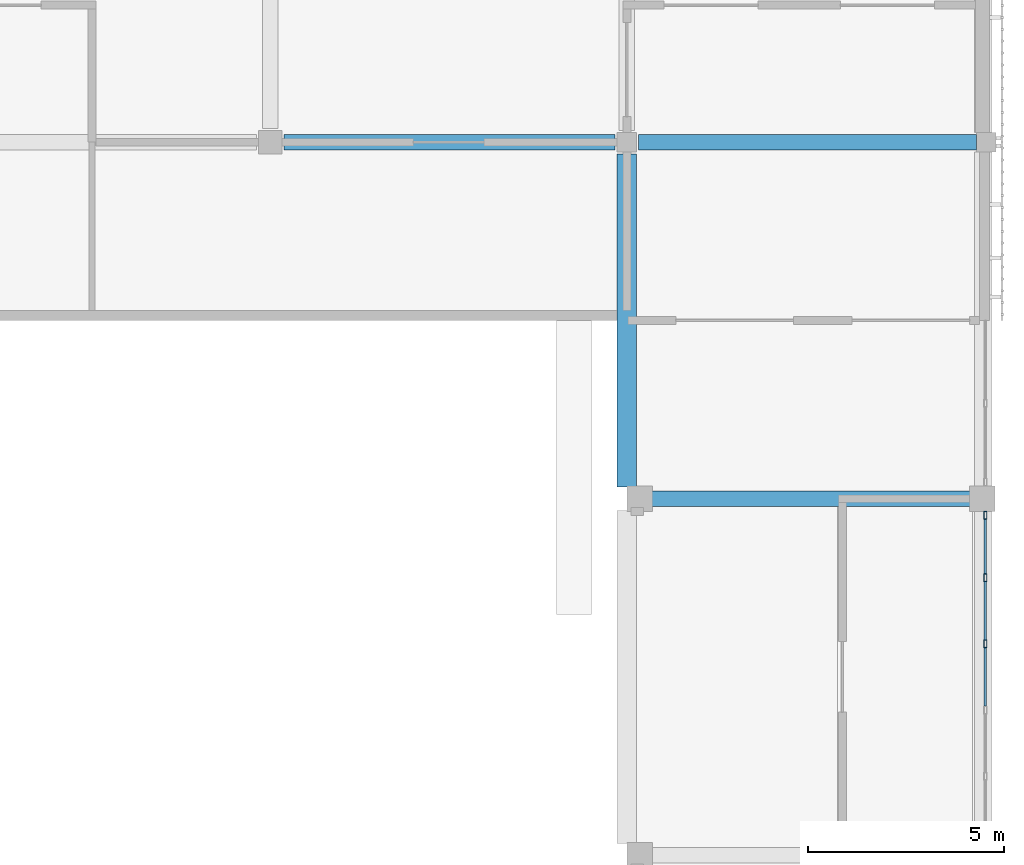
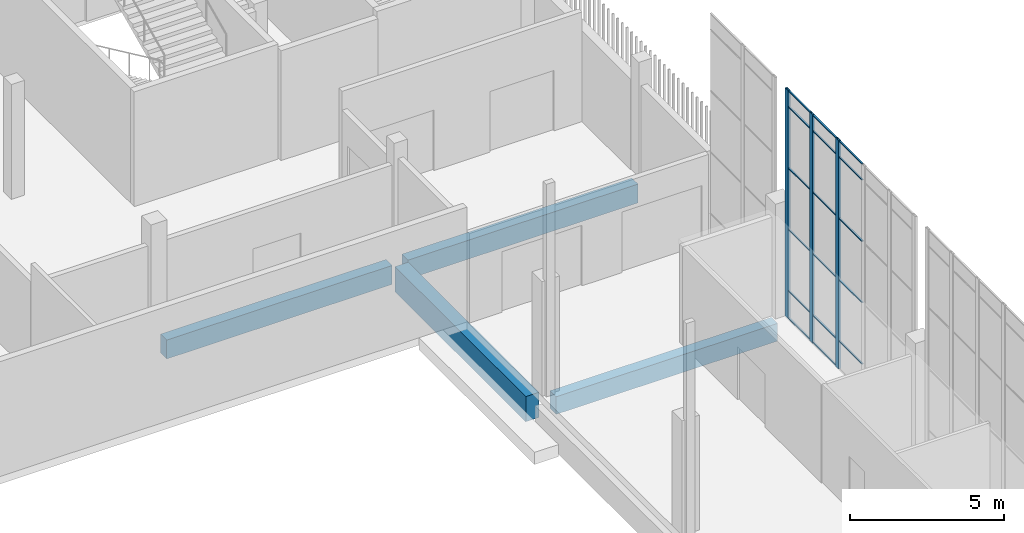
# One storey, part 27 of 91: 20 members, 4 beams, 1 element without a shape of its own.
"""IFC4 building model written with IfcOpenShell, lengths in metres."""

from ifc_helpers import new_model, si_unit, direction, frame, origin, origin_2d, place, context, subcontext, project, spatial, rectangle, hollow_rectangle, extrude, material, layer, layer_set, material_profile, profile_set, type_object, element, aggregate, save


model = new_model("IFC4")

# Units and contexts
model_context = context("Model", 3, precision=1e-05, world=origin(), true_north=direction((0.0, 1.0)))
body_context = subcontext(model_context, "Body", "Model", "MODEL_VIEW")
ifc_project = project(units=[si_unit("LENGTHUNIT", "METRE"), si_unit("AREAUNIT", "SQUARE_METRE"), si_unit("VOLUMEUNIT", "CUBIC_METRE"), si_unit("PLANEANGLEUNIT", "RADIAN"), si_unit("MASSUNIT", "GRAM", prefix="KILO")], contexts=[model_context])

# Site, building, storey
site_placement = place(None, origin())
site = spatial("IfcSite", under=ifc_project, at=site_placement, CompositionType="ELEMENT")
building_placement = place(site_placement, origin())
building = spatial("IfcBuilding", under=site, at=building_placement, Name="Shirokan Park Arena", CompositionType="ELEMENT")
storey_placement = place(building_placement, frame((0.0, 0.0, 24.570068359375)))
storey = spatial("IfcBuildingStorey", under=building, at=storey_placement, Name="L05", CompositionType="ELEMENT", Elevation=24.570068359375)

# Curtain wall, members
ifc_material_1 = material(Name="Steel and glass curtain wall", Category="steel")
ifc_layer = layer(ifc_material_1, 0.199951171875)
ifc_layer_set = layer_set([ifc_layer], Name="Steel and glass curtain wall 200 mm")
curtain_wall_type = type_object("IfcCurtainWallType", Name="Curtain wall hall bay 200", PredefinedType="NOTDEFINED", material=ifc_layer_set)
curtain_wall_placement = place(storey_placement, origin())
curtain_wall = element("IfcCurtainWall", 1, at=curtain_wall_placement, inside=storey, type_object=curtain_wall_type, Name="Curtain wall east bay 7 L05", PredefinedType="NOTDEFINED")
ifc_material_2 = material(Name="Steel S355", Category="steel")
ifc_material_profile_1 = material_profile(ifc_material_2, hollow_rectangle(XDim=0.080078125, YDim=0.199951171875, WallThickness=0.008056640625, at=origin_2d()), Name="RHS 200x80x8")
ifc_profile_set_1 = profile_set([ifc_material_profile_1], Name="Steel S355")
member_type_1 = type_object("IfcMemberType", Name="Mullion RHS 200x80x8", PredefinedType="MULLION", material=ifc_profile_set_1)
member_1_placement = place(storey_placement, frame((145.64990234375, 59.9951171875, 0.0), z_axis=(0.0, 0.0, 1.0), x_axis=(-1.0, 0.0, 0.0)))
member_1 = element("IfcMember", 2, at=member_1_placement, type_object=member_type_1, Name="CW5 mullion 4", PredefinedType="MULLION", context=body_context, shape_type="SweptSolid", body=[
    extrude(hollow_rectangle(XDim=0.080078125, YDim=0.199951171875, WallThickness=0.008056640625, at=origin_2d()), origin(), (0.0, 0.0, 1.0), 9.050048828125),
])
member_2_placement = place(storey_placement, frame((145.64990234375, 61.68505859375, 0.0), z_axis=(0.0, 0.0, 1.0), x_axis=(-1.0, 0.0, 0.0)))
member_2 = element("IfcMember", 3, at=member_2_placement, type_object=member_type_1, Name="CW5 mullion 5", PredefinedType="MULLION", context=body_context, shape_type="SweptSolid", body=[
    extrude(hollow_rectangle(XDim=0.080078125, YDim=0.199951171875, WallThickness=0.008056640625, at=origin_2d()), origin(), (0.0, 0.0, 1.0), 9.050048828125),
])
member_3_placement = place(storey_placement, frame((145.64990234375, 63.27490234375, 0.0), z_axis=(0.0, 0.0, 1.0), x_axis=(-1.0, 0.0, 0.0)))
member_3 = element("IfcMember", 4, at=member_3_placement, type_object=member_type_1, Name="CW5 mullion 6", PredefinedType="MULLION", context=body_context, shape_type="SweptSolid", body=[
    extrude(hollow_rectangle(XDim=0.080078125, YDim=0.199951171875, WallThickness=0.008056640625, at=origin_2d()), origin(), (0.0, 0.0, 1.0), 9.050048828125),
])

# Beams
ifc_material_3 = material(Name="Concrete C35", Category="concrete")
ifc_material_profile_2 = material_profile(ifc_material_3, rectangle(XDim=0.39990234375, YDim=0.699951171875, at=origin_2d()), Name="400x700")
ifc_profile_set_2 = profile_set([ifc_material_profile_2], Name="Concrete C35")
beam_type_1 = type_object("IfcBeamType", Name="RC girder 400x700", PredefinedType="BEAM", material=ifc_profile_set_2)
beam_1_placement = place(storey_placement, frame((137.10009765625, 63.699951171875, -0.650146484375), z_axis=(1.0, 0.0, 0.0), x_axis=(0.0, 1.0, 0.0)))
element("IfcBeam", 5, at=beam_1_placement, inside=storey, type_object=beam_type_1, Name="Girder 16H-17H L05", PredefinedType="BEAM", context=body_context, shape_type="SweptSolid", body=[
    extrude(rectangle(XDim=0.39990234375, YDim=0.699951171875, at=origin_2d()), origin(), (0.0, 0.0, 1.0), 8.2998046875),
])
ifc_material_profile_3 = material_profile(ifc_material_3, rectangle(XDim=0.39990234375, YDim=0.75, at=origin_2d()), Name="400x750")
ifc_profile_set_3 = profile_set([ifc_material_profile_3], Name="Concrete C35")
beam_type_2 = type_object("IfcBeamType", Name="RC girder 400x750", PredefinedType="BEAM", material=ifc_profile_set_3)
beam_2_placement = place(storey_placement, frame((127.75, 72.800048828125, -0.675048828125), z_axis=(1.0, 0.0, 0.0), x_axis=(0.0, 1.0, 0.0)))
element("IfcBeam", 6, at=beam_2_placement, inside=storey, type_object=beam_type_2, Name="Girder 15J-16J L05", PredefinedType="BEAM", context=body_context, shape_type="SweptSolid", body=[
    extrude(rectangle(XDim=0.39990234375, YDim=0.75, at=origin_2d()), origin(), (0.0, 0.0, 1.0), 8.449951171875),
])
beam_3_placement = place(storey_placement, frame((136.800048828125, 72.800048828125, -0.675048828125), z_axis=(1.0, 0.0, 0.0), x_axis=(0.0, 1.0, 0.0)))
element("IfcBeam", 7, at=beam_3_placement, inside=storey, type_object=beam_type_2, Name="Girder 16J-17J L05", PredefinedType="BEAM", context=body_context, shape_type="SweptSolid", body=[
    extrude(rectangle(XDim=0.39990234375, YDim=0.75, at=origin_2d()), origin(), (0.0, 0.0, 1.0), 8.624755859375),
])
ifc_material_profile_4 = material_profile(ifc_material_3, rectangle(XDim=0.5, YDim=1.0, at=origin_2d()), Name="500x1000")
ifc_profile_set_4 = profile_set([ifc_material_profile_4], Name="Concrete C35")
beam_type_3 = type_object("IfcBeamType", Name="RC girder 500x1000", PredefinedType="BEAM", material=ifc_profile_set_4)
beam_4_placement = place(storey_placement, frame((136.5, 64.0, -0.800048828125), z_axis=(0.0, 1.0, 0.0), x_axis=(-1.0, 0.0, 0.0)))
element("IfcBeam", 8, at=beam_4_placement, inside=storey, type_object=beam_type_3, Name="Girder 16H-16J L05", PredefinedType="BEAM", context=body_context, shape_type="SweptSolid", body=[
    extrude(rectangle(XDim=0.5, YDim=1.0, at=origin_2d()), origin(), (0.0, 0.0, 1.0), 8.5),
])

# Member
ifc_material_profile_5 = material_profile(ifc_material_2, hollow_rectangle(XDim=0.06005859375, YDim=0.0400390625, WallThickness=0.00390625, at=origin_2d()), Name="RHS 60x40x4")
ifc_profile_set_5 = profile_set([ifc_material_profile_5], Name="Steel S355")
member_type_2 = type_object("IfcMemberType", Name="Transom RHS 60x40x4", PredefinedType="MULLION", material=ifc_profile_set_5)
member_4_placement = place(storey_placement, frame((145.64990234375, 58.405029296875, 1.099853515625), z_axis=(0.0, 1.0, 0.0), x_axis=(-1.0, 0.0, 0.0)))
member_4 = element("IfcMember", 9, at=member_4_placement, type_object=member_type_2, Name="CW5 transom 3.2", PredefinedType="MULLION", context=body_context, shape_type="SweptSolid", body=[
    extrude(hollow_rectangle(XDim=0.06005859375, YDim=0.0400390625, WallThickness=0.00390625, at=origin_2d()), origin(), (0.0, 0.0, 1.0), 1.489990234375),
])

member_5_placement = place(storey_placement, frame((145.64990234375, 58.405029296875, 3.533203125), z_axis=(0.0, 1.0, 0.0), x_axis=(-1.0, 0.0, 0.0)))
member_5 = element("IfcMember", 10, at=member_5_placement, type_object=member_type_2, Name="CW5 transom 3.3", PredefinedType="MULLION", context=body_context, shape_type="SweptSolid", body=[
    extrude(hollow_rectangle(XDim=0.06005859375, YDim=0.0400390625, WallThickness=0.00390625, at=origin_2d()), origin(), (0.0, 0.0, 1.0), 1.489990234375),
])

member_6_placement = place(storey_placement, frame((145.64990234375, 58.405029296875, 5.966552734375), z_axis=(0.0, 1.0, 0.0), x_axis=(-1.0, 0.0, 0.0)))
member_6 = element("IfcMember", 11, at=member_6_placement, type_object=member_type_2, Name="CW5 transom 3.4", PredefinedType="MULLION", context=body_context, shape_type="SweptSolid", body=[
    extrude(hollow_rectangle(XDim=0.06005859375, YDim=0.0400390625, WallThickness=0.00390625, at=origin_2d()), origin(), (0.0, 0.0, 1.0), 1.489990234375),
])

member_7_placement = place(storey_placement, frame((145.64990234375, 58.405029296875, 8.39990234375), z_axis=(0.0, 1.0, 0.0), x_axis=(-1.0, 0.0, 0.0)))
member_7 = element("IfcMember", 12, at=member_7_placement, type_object=member_type_2, Name="CW5 transom 3.5", PredefinedType="MULLION", context=body_context, shape_type="SweptSolid", body=[
    extrude(hollow_rectangle(XDim=0.06005859375, YDim=0.0400390625, WallThickness=0.00390625, at=origin_2d()), origin(), (0.0, 0.0, 1.0), 1.489990234375),
])

member_8_placement = place(storey_placement, frame((145.64990234375, 58.405029296875, 9.030029296875), z_axis=(0.0, 1.0, 0.0), x_axis=(-1.0, 0.0, 0.0)))
member_8 = element("IfcMember", 13, at=member_8_placement, type_object=member_type_2, Name="CW5 transom 3.6", PredefinedType="MULLION", context=body_context, shape_type="SweptSolid", body=[
    extrude(hollow_rectangle(XDim=0.06005859375, YDim=0.0400390625, WallThickness=0.00390625, at=origin_2d()), origin(), (0.0, 0.0, 1.0), 1.489990234375),
])

member_9_placement = place(storey_placement, frame((145.64990234375, 60.094970703125, 0.02001953125), z_axis=(0.0, 1.0, 0.0), x_axis=(-1.0, 0.0, 0.0)))
member_9 = element("IfcMember", 14, at=member_9_placement, type_object=member_type_2, Name="CW5 transom 4.1", PredefinedType="MULLION", context=body_context, shape_type="SweptSolid", body=[
    extrude(hollow_rectangle(XDim=0.06005859375, YDim=0.0400390625, WallThickness=0.00390625, at=origin_2d()), origin(), (0.0, 0.0, 1.0), 1.489990234375),
])

member_10_placement = place(storey_placement, frame((145.64990234375, 60.094970703125, 1.099853515625), z_axis=(0.0, 1.0, 0.0), x_axis=(-1.0, 0.0, 0.0)))
member_10 = element("IfcMember", 15, at=member_10_placement, type_object=member_type_2, Name="CW5 transom 4.2", PredefinedType="MULLION", context=body_context, shape_type="SweptSolid", body=[
    extrude(hollow_rectangle(XDim=0.06005859375, YDim=0.0400390625, WallThickness=0.00390625, at=origin_2d()), origin(), (0.0, 0.0, 1.0), 1.489990234375),
])

member_11_placement = place(storey_placement, frame((145.64990234375, 60.094970703125, 3.533203125), z_axis=(0.0, 1.0, 0.0), x_axis=(-1.0, 0.0, 0.0)))
member_11 = element("IfcMember", 16, at=member_11_placement, type_object=member_type_2, Name="CW5 transom 4.3", PredefinedType="MULLION", context=body_context, shape_type="SweptSolid", body=[
    extrude(hollow_rectangle(XDim=0.06005859375, YDim=0.0400390625, WallThickness=0.00390625, at=origin_2d()), origin(), (0.0, 0.0, 1.0), 1.489990234375),
])

member_12_placement = place(storey_placement, frame((145.64990234375, 60.094970703125, 5.966552734375), z_axis=(0.0, 1.0, 0.0), x_axis=(-1.0, 0.0, 0.0)))
member_12 = element("IfcMember", 17, at=member_12_placement, type_object=member_type_2, Name="CW5 transom 4.4", PredefinedType="MULLION", context=body_context, shape_type="SweptSolid", body=[
    extrude(hollow_rectangle(XDim=0.06005859375, YDim=0.0400390625, WallThickness=0.00390625, at=origin_2d()), origin(), (0.0, 0.0, 1.0), 1.489990234375),
])

member_13_placement = place(storey_placement, frame((145.64990234375, 60.094970703125, 8.39990234375), z_axis=(0.0, 1.0, 0.0), x_axis=(-1.0, 0.0, 0.0)))
member_13 = element("IfcMember", 18, at=member_13_placement, type_object=member_type_2, Name="CW5 transom 4.5", PredefinedType="MULLION", context=body_context, shape_type="SweptSolid", body=[
    extrude(hollow_rectangle(XDim=0.06005859375, YDim=0.0400390625, WallThickness=0.00390625, at=origin_2d()), origin(), (0.0, 0.0, 1.0), 1.489990234375),
])

member_14_placement = place(storey_placement, frame((145.64990234375, 60.094970703125, 9.030029296875), z_axis=(0.0, 1.0, 0.0), x_axis=(-1.0, 0.0, 0.0)))
member_14 = element("IfcMember", 19, at=member_14_placement, type_object=member_type_2, Name="CW5 transom 4.6", PredefinedType="MULLION", context=body_context, shape_type="SweptSolid", body=[
    extrude(hollow_rectangle(XDim=0.06005859375, YDim=0.0400390625, WallThickness=0.00390625, at=origin_2d()), origin(), (0.0, 0.0, 1.0), 1.489990234375),
])

member_15_placement = place(storey_placement, frame((145.64990234375, 61.784912109375, 0.02001953125), z_axis=(0.0, 1.0, 0.0), x_axis=(-1.0, 0.0, 0.0)))
member_15 = element("IfcMember", 20, at=member_15_placement, type_object=member_type_2, Name="CW5 transom 5.1", PredefinedType="MULLION", context=body_context, shape_type="SweptSolid", body=[
    extrude(hollow_rectangle(XDim=0.06005859375, YDim=0.0400390625, WallThickness=0.00390625, at=origin_2d()), origin(), (0.0, 0.0, 1.0), 1.39013671875),
])

member_16_placement = place(storey_placement, frame((145.64990234375, 61.784912109375, 1.099853515625), z_axis=(0.0, 1.0, 0.0), x_axis=(-1.0, 0.0, 0.0)))
member_16 = element("IfcMember", 21, at=member_16_placement, type_object=member_type_2, Name="CW5 transom 5.2", PredefinedType="MULLION", context=body_context, shape_type="SweptSolid", body=[
    extrude(hollow_rectangle(XDim=0.06005859375, YDim=0.0400390625, WallThickness=0.00390625, at=origin_2d()), origin(), (0.0, 0.0, 1.0), 1.39013671875),
])

member_17_placement = place(storey_placement, frame((145.64990234375, 61.784912109375, 3.533203125), z_axis=(0.0, 1.0, 0.0), x_axis=(-1.0, 0.0, 0.0)))
member_17 = element("IfcMember", 22, at=member_17_placement, type_object=member_type_2, Name="CW5 transom 5.3", PredefinedType="MULLION", context=body_context, shape_type="SweptSolid", body=[
    extrude(hollow_rectangle(XDim=0.06005859375, YDim=0.0400390625, WallThickness=0.00390625, at=origin_2d()), origin(), (0.0, 0.0, 1.0), 1.39013671875),
])

member_18_placement = place(storey_placement, frame((145.64990234375, 61.784912109375, 5.966552734375), z_axis=(0.0, 1.0, 0.0), x_axis=(-1.0, 0.0, 0.0)))
member_18 = element("IfcMember", 23, at=member_18_placement, type_object=member_type_2, Name="CW5 transom 5.4", PredefinedType="MULLION", context=body_context, shape_type="SweptSolid", body=[
    extrude(hollow_rectangle(XDim=0.06005859375, YDim=0.0400390625, WallThickness=0.00390625, at=origin_2d()), origin(), (0.0, 0.0, 1.0), 1.39013671875),
])

member_19_placement = place(storey_placement, frame((145.64990234375, 61.784912109375, 8.39990234375), z_axis=(0.0, 1.0, 0.0), x_axis=(-1.0, 0.0, 0.0)))
member_19 = element("IfcMember", 24, at=member_19_placement, type_object=member_type_2, Name="CW5 transom 5.5", PredefinedType="MULLION", context=body_context, shape_type="SweptSolid", body=[
    extrude(hollow_rectangle(XDim=0.06005859375, YDim=0.0400390625, WallThickness=0.00390625, at=origin_2d()), origin(), (0.0, 0.0, 1.0), 1.39013671875),
])

member_20_placement = place(storey_placement, frame((145.64990234375, 61.784912109375, 9.030029296875), z_axis=(0.0, 1.0, 0.0), x_axis=(-1.0, 0.0, 0.0)))
member_20 = element("IfcMember", 25, at=member_20_placement, type_object=member_type_2, Name="CW5 transom 5.6", PredefinedType="MULLION", context=body_context, shape_type="SweptSolid", body=[
    extrude(hollow_rectangle(XDim=0.06005859375, YDim=0.0400390625, WallThickness=0.00390625, at=origin_2d()), origin(), (0.0, 0.0, 1.0), 1.39013671875),
])

aggregate(curtain_wall, [member_1, member_2, member_3, member_4, member_5, member_6, member_7, member_8, member_9, member_10, member_11, member_12, member_13, member_14, member_15, member_16, member_17, member_18, member_19, member_20])

save(model, "model.ifc")
